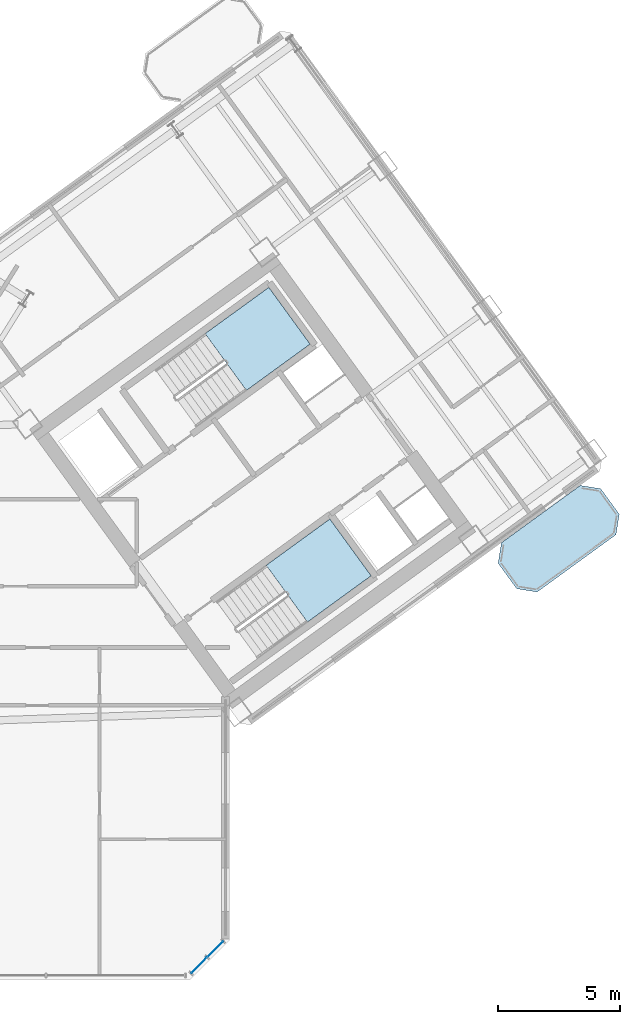
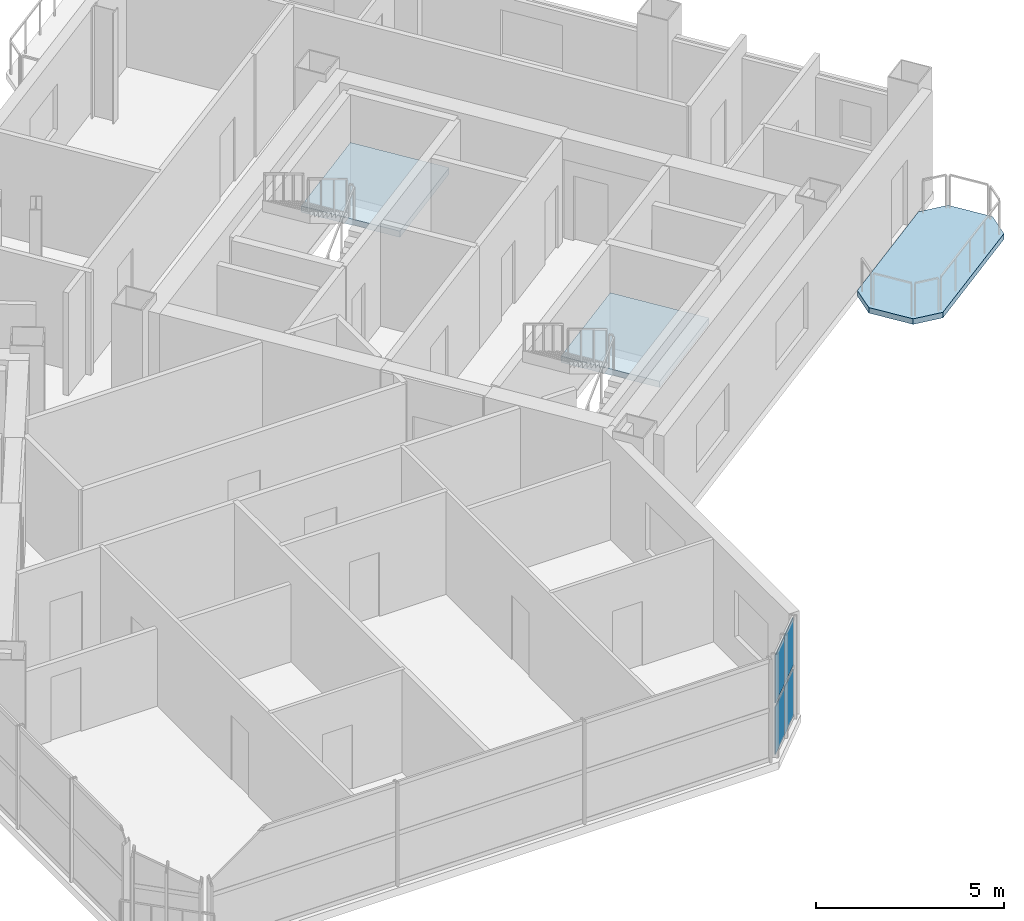
# One storey, part 10 of 21: 4 plates, 3 slabs, 3 elements without a shape of their own.
"""IFC4 building model written with IfcOpenShell, lengths in metres."""

from ifc_helpers import new_model, si_unit, direction, frame, origin, origin_2d, place, context, subcontext, project, spatial, polyline, rectangle, outline, extrude, source, transform, mapped, material, layer, layer_set, type_object, element, aggregate, save


model = new_model("IFC4")

# Units and contexts
model_context = context("Model", 3, precision=1e-05, world=origin(), true_north=direction((0.0, 1.0)))
body_context = subcontext(model_context, "Body", "Model", "MODEL_VIEW")
ifc_project = project(units=[si_unit("LENGTHUNIT", "METRE"), si_unit("AREAUNIT", "SQUARE_METRE"), si_unit("VOLUMEUNIT", "CUBIC_METRE"), si_unit("PLANEANGLEUNIT", "RADIAN"), si_unit("MASSUNIT", "GRAM", prefix="KILO")], contexts=[model_context])

# Site, building, storey
site_placement = place(None, origin())
site = spatial("IfcSite", under=ifc_project, at=site_placement, CompositionType="ELEMENT")
building_placement = place(site_placement, origin())
building = spatial("IfcBuilding", under=site, at=building_placement, Name="Tlacorven Tower", CompositionType="ELEMENT")
storey_placement = place(building_placement, frame((0.0, 0.0, 112.5)))
storey = spatial("IfcBuildingStorey", under=building, at=storey_placement, Name="L28", CompositionType="ELEMENT", Elevation=112.5)

# Slab
ifc_material_1 = material(Name="Precast concrete C45/55", Category="concrete")
ifc_layer_1 = layer(ifc_material_1, 0.179931640625)
ifc_layer_set_1 = layer_set([ifc_layer_1], Name="Precast concrete C45/55")
slab_type_1 = type_object("IfcSlabType", Name="SL-BAL-180", PredefinedType="USERDEFINED", material=ifc_layer_set_1)
slab_1_placement = place(storey_placement, frame((0.0, 0.0, -0.179931640625)))
element("IfcSlab", 1, at=slab_1_placement, inside=storey, type_object=slab_type_1, Name="L28 East Wing Balcony Ribbon OUT", ObjectType="BALCONY SLAB", PredefinedType="USERDEFINED", context=body_context, shape_type="SweptSolid", body=[
    extrude(outline(polyline([(65.025634765625, 17.69482421875), (68.26171875, 20.046142578125), (68.394287109375, 20.884033203125), (67.633056640625, 21.931884765625), (66.795166015625, 22.064453125), (63.55908203125, 19.71337890625), (63.42626953125, 18.875244140625), (64.1875, 17.82763671875), (65.025634765625, 17.69482421875)])), origin(), (0.0, 0.0, 1.0), 0.179931640625),
])

# Stair, slab
ifc_material_2 = material(Name="Concrete C40/50", Category="concrete")
stair_type = type_object("IfcStairType", Name="ST-CORE-DLG", PredefinedType="HALF_TURN_STAIR", material=ifc_material_2)
stair_1_placement = place(storey_placement, origin())
stair_1 = element("IfcStair", 2, at=stair_1_placement, inside=storey, type_object=stair_type, Name="L28 Protected Exit Stair East 1", PredefinedType="HALF_TURN_STAIR")
ifc_layer_2 = layer(ifc_material_2, 0.199951171875)
ifc_layer_set_2 = layer_set([ifc_layer_2], Name="Concrete C40/50")
slab_type_2 = type_object("IfcSlabType", Name="SL-LND-200", PredefinedType="LANDING", material=ifc_layer_set_2)
slab_2_placement = place(storey_placement, frame((0.0, 0.0, 1.60009765625)))
slab_2 = element("IfcSlab", 3, at=slab_2_placement, type_object=slab_type_2, Name="ST-E1 landing 1", PredefinedType="LANDING", context=body_context, shape_type="SweptSolid", body=[
    extrude(outline(polyline([(53.09765625, 25.962890625), (55.7109375, 27.861572265625), (54.01806640625, 30.19140625), (51.40478515625, 28.29296875), (53.09765625, 25.962890625)])), origin(), (0.0, 0.0, 1.0), 0.199951171875),
])
aggregate(stair_1, [slab_2])

stair_2_placement = place(storey_placement, origin())
stair_2 = element("IfcStair", 4, at=stair_2_placement, inside=storey, type_object=stair_type, Name="L28 Protected Exit Stair East 2", PredefinedType="HALF_TURN_STAIR")
slab_3_placement = place(storey_placement, frame((0.0, 0.0, 1.60009765625)))
slab_3 = element("IfcSlab", 5, at=slab_3_placement, type_object=slab_type_2, Name="ST-E2 landing 1", PredefinedType="LANDING", context=body_context, shape_type="SweptSolid", body=[
    extrude(outline(polyline([(55.601806640625, 16.4599609375), (58.21484375, 18.3583984375), (56.52197265625, 20.6884765625), (53.908935546875, 18.789794921875), (55.601806640625, 16.4599609375)])), origin(), (0.0, 0.0, 1.0), 0.199951171875),
])
aggregate(stair_2, [slab_3])

# Curtain wall, plates
ifc_material_3 = material(Name="Dark solar low-E double glazing in aluminium frame", Category="aluminium")
curtain_wall_type = type_object("IfcCurtainWallType", Name="CW-TWR-MID", PredefinedType="USERDEFINED", material=ifc_material_3)
curtain_wall_placement = place(storey_placement, origin())
curtain_wall = element("IfcCurtainWall", 6, at=curtain_wall_placement, inside=storey, type_object=curtain_wall_type, Name="L28 CW-TWR-MID Curtain Wall 139", ObjectType="UNITISED CURTAIN WALL", PredefinedType="USERDEFINED")
ifc_material_4 = material(Name="High-wind dark solar tempered low-E glazing", Category="glass")
ifc_layer_3 = layer(ifc_material_4, 0.028076171875)
ifc_layer_set_3 = layer_set([ifc_layer_3], Name="High-wind dark solar tempered low-E glazing")
plate_type = type_object("IfcPlateType", Name="CWP-03", PredefinedType="CURTAIN_PANEL", material=ifc_layer_set_3)
shared_shape = source(origin(), body_context, "Body", "SweptSolid", [
    extrude(rectangle(XDim=0.885498046875, YDim=0.028076171875, at=origin_2d()), origin(), (0.0, 0.0, 1.0), 1.552978515625),
])
plate_1_placement = place(storey_placement, frame((51.816650390625, 3.04296875, 0.06103515625), z_axis=(0.0, 0.0, 1.0), x_axis=(-0.707106781187, -0.707106781187, 0.0)))
plate_1 = element("IfcPlate", 7, at=plate_1_placement, type_object=plate_type, Name="CW-L28-139 Glazing Panel 1", PredefinedType="CURTAIN_PANEL", context=body_context, shape_type="MappedRepresentation", body=[
    mapped(shared_shape, transform((0.0, 0.0, 0.0), scale=1.0)),
])
plate_2_placement = place(storey_placement, frame((51.816650390625, 3.04296875, 1.73583984375), z_axis=(0.0, 0.0, 1.0), x_axis=(-0.707106781187, -0.707106781187, 0.0)))
plate_2 = element("IfcPlate", 8, at=plate_2_placement, type_object=plate_type, Name="CW-L28-139 Glazing Panel 2", PredefinedType="CURTAIN_PANEL", context=body_context, shape_type="MappedRepresentation", body=[
    mapped(shared_shape, transform((0.0, 0.0, 0.0), scale=1.0)),
])
plate_3_placement = place(storey_placement, frame((51.1572265625, 2.38330078125, 0.06103515625), z_axis=(0.0, 0.0, 1.0), x_axis=(-0.707106781187, -0.707106781187, 0.0)))
plate_3 = element("IfcPlate", 9, at=plate_3_placement, type_object=plate_type, Name="CW-L28-139 Glazing Panel 3", PredefinedType="CURTAIN_PANEL", context=body_context, shape_type="MappedRepresentation", body=[
    mapped(shared_shape, transform((0.0, 0.0, 0.0), scale=1.0)),
])
plate_4_placement = place(storey_placement, frame((51.1572265625, 2.38330078125, 1.73583984375), z_axis=(0.0, 0.0, 1.0), x_axis=(-0.707106781187, -0.707106781187, 0.0)))
plate_4 = element("IfcPlate", 10, at=plate_4_placement, type_object=plate_type, Name="CW-L28-139 Glazing Panel 4", PredefinedType="CURTAIN_PANEL", context=body_context, shape_type="MappedRepresentation", body=[
    mapped(shared_shape, transform((0.0, 0.0, 0.0), scale=1.0)),
])
aggregate(curtain_wall, [plate_1, plate_2, plate_3, plate_4])

save(model, "model.ifc")
